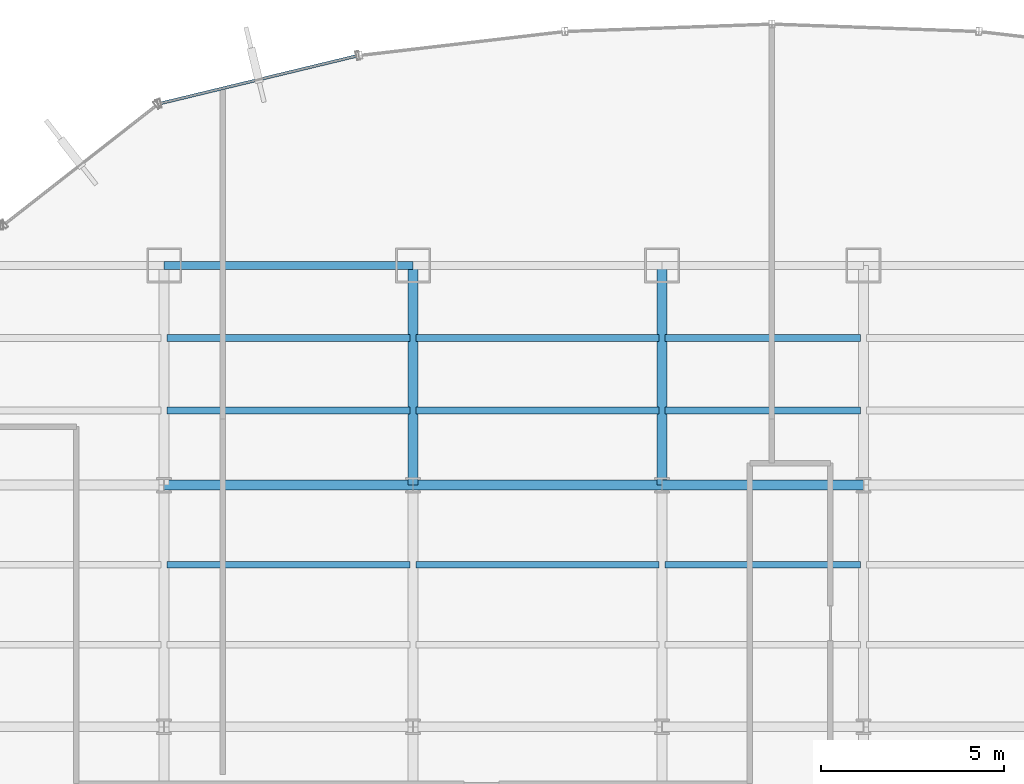
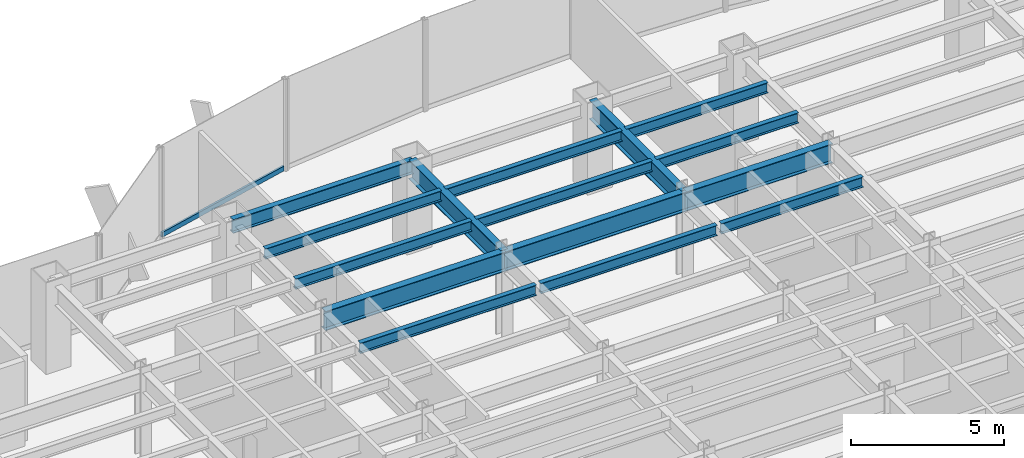
# One storey, part 11 of 22: 15 beams, 1 member, 1 element without a shape of its own.
"""IFC4 building model written with IfcOpenShell, lengths in metres."""

from ifc_helpers import new_model, si_unit, derived_unit, direction, frame, origin, origin_2d, place, context, subcontext, project, spatial, hollow_rectangle, i_section, extrude, source, transform, mapped, material, material_profile, profile_set, type_object, element, aggregate, save


model = new_model("IFC4")

# Units and contexts
model_context = context("Model", 3, precision=1e-05, world=origin(), true_north=direction((0.0, 1.0)))
body_context = subcontext(model_context, "Body", "Model", "MODEL_VIEW")
ifc_project = project(units=[si_unit("LENGTHUNIT", "METRE"), si_unit("AREAUNIT", "SQUARE_METRE"), si_unit("VOLUMEUNIT", "CUBIC_METRE"), si_unit("PLANEANGLEUNIT", "RADIAN"), si_unit("MASSUNIT", "GRAM", prefix="KILO"), derived_unit("THERMALTRANSMITTANCEUNIT", [(si_unit("POWERUNIT", "WATT"), 1), (si_unit("LENGTHUNIT", "METRE"), -2), (si_unit("THERMODYNAMICTEMPERATUREUNIT", "KELVIN"), -1)])], contexts=[model_context])

# Site, building, storey
site_placement = place(None, origin())
site = spatial("IfcSite", under=ifc_project, at=site_placement, CompositionType="ELEMENT")
building_placement = place(site_placement, origin())
building = spatial("IfcBuilding", under=site, at=building_placement, Name="Skarnbrae Concourse Arena and Tower", CompositionType="ELEMENT")
storey_placement = place(building_placement, frame((0.0, 0.0, 61.699951171875)))
storey = spatial("IfcBuildingStorey", under=building, at=storey_placement, Name="L14", CompositionType="ELEMENT", Elevation=61.699951171875)

# Beams
ifc_material_1 = material(Name="Steel CSA G40.21 350W", Category="steel")
ifc_material_profile_1 = material_profile(ifc_material_1, i_section(OverallWidth=0.26806640625, OverallDepth=0.77001953125, WebThickness=0.015625, FlangeThickness=0.025390625, at=origin_2d()), Name="W760X196")
ifc_profile_set_1 = profile_set([ifc_material_profile_1], Name="Steel CSA G40.21 350W")
beam_type_1 = type_object("IfcBeamType", Name="BM-GIRD-W760X196", PredefinedType="BEAM", material=ifc_profile_set_1)
shared_shape_1 = source(origin(), body_context, "Body", "SweptSolid", [
    extrude(i_section(OverallWidth=0.26806640625, OverallDepth=0.77001953125, WebThickness=0.015625, FlangeThickness=0.025390625, at=origin_2d()), origin(), (0.0, 0.0, 1.0), 6.800048828125),
])
for number, where, z_axis, x_axis, name in (
    (1, (14.39990234375, 34.39990234375, 3.01513671875), (1.0, 0.0, 0.0), (0.0, 1.0, 0.0), "L14 Primary E-W girder Y34.4-3"),
    (2, (21.199951171875, 34.39990234375, 3.01513671875), (1.0, 0.0, 0.0), (0.0, 1.0, 0.0), "L14 Primary E-W girder Y34.4-4"),
):
    element("IfcBeam", number, at=place(storey_placement, frame(where, z_axis=z_axis, x_axis=x_axis)), inside=storey, type_object=beam_type_1, Name=name, PredefinedType="BEAM", context=body_context, shape_type="MappedRepresentation", body=[
        mapped(shared_shape_1, transform((0.0, 0.0, 0.0))),
    ])
shared_shape_2 = source(origin(), body_context, "Body", "SweptSolid", [
    extrude(i_section(OverallWidth=0.26806640625, OverallDepth=0.77001953125, WebThickness=0.015625, FlangeThickness=0.025390625, at=origin_2d()), origin(), (0.0, 0.0, 1.0), 5.5),
])
beam_1_placement = place(storey_placement, frame((28.0, 34.39990234375, 3.01513671875), z_axis=(1.0, 0.0, 0.0), x_axis=(0.0, 1.0, 0.0)))
element("IfcBeam", 3, at=beam_1_placement, inside=storey, type_object=beam_type_1, Name="L14 Primary E-W girder Y34.4-5", PredefinedType="BEAM", context=body_context, shape_type="MappedRepresentation", body=[
    mapped(shared_shape_2, transform((0.0, 0.0, 0.0))),
])
shared_shape_3 = source(origin(), body_context, "Body", "SweptSolid", [
    extrude(i_section(OverallWidth=0.26806640625, OverallDepth=0.77001953125, WebThickness=0.015625, FlangeThickness=0.025390625, at=origin_2d()), origin(), (0.0, 0.0, 1.0), 6.0),
])
for number, where, z_axis, x_axis, name in (
    (4, (21.199951171875, 34.39990234375, 3.01513671875), (0.0, 1.0, 0.0), (-1.0, 0.0, 0.0), "L14 Primary N-S girder X21.2-4"),
    (5, (28.0, 34.39990234375, 3.01513671875), (0.0, 1.0, 0.0), (-1.0, 0.0, 0.0), "L14 Primary N-S girder X28.0-4"),
):
    element("IfcBeam", number, at=place(storey_placement, frame(where, z_axis=z_axis, x_axis=x_axis)), inside=storey, type_object=beam_type_1, Name=name, PredefinedType="BEAM", context=body_context, shape_type="MappedRepresentation", body=[
        mapped(shared_shape_3, transform((0.0, 0.0, 0.0))),
    ])
ifc_material_profile_2 = material_profile(ifc_material_1, i_section(OverallWidth=0.214111328125, OverallDepth=0.549072265625, WebThickness=0.0146484375, FlangeThickness=0.023681640625, at=origin_2d()), Name="W530X138")
ifc_profile_set_2 = profile_set([ifc_material_profile_2], Name="Steel CSA G40.21 350W")
beam_type_2 = type_object("IfcBeamType", Name="BM-SPAN-W530X138", PredefinedType="SPANDREL", material=ifc_profile_set_2)
shared_shape_4 = source(origin(), body_context, "Body", "SweptSolid", [
    extrude(i_section(OverallWidth=0.214111328125, OverallDepth=0.549072265625, WebThickness=0.0146484375, FlangeThickness=0.023681640625, at=origin_2d()), origin(), (0.0, 0.0, 1.0), 6.800048828125),
])
beam_2_placement = place(storey_placement, frame((14.39990234375, 40.39990234375, 3.12548828125), z_axis=(1.0, 0.0, 0.0), x_axis=(0.0, 1.0, 0.0)))
element("IfcBeam", 6, at=beam_2_placement, inside=storey, type_object=beam_type_2, Name="L14 Perimeter spandrel Y40.4-2", PredefinedType="SPANDREL", context=body_context, shape_type="MappedRepresentation", body=[
    mapped(shared_shape_4, transform((0.0, 0.0, 0.0))),
])
ifc_material_profile_3 = material_profile(ifc_material_1, i_section(OverallWidth=0.180908203125, OverallDepth=0.4169921875, WebThickness=0.010986328125, FlangeThickness=0.018310546875, at=origin_2d()), Name="W410X85")
ifc_profile_set_3 = profile_set([ifc_material_profile_3], Name="Steel CSA G40.21 350W")
beam_type_3 = type_object("IfcBeamType", Name="BM-JOIST-W410X85", PredefinedType="JOIST", material=ifc_profile_set_3)
shared_shape_5 = source(origin(), body_context, "Body", "SweptSolid", [
    extrude(i_section(OverallWidth=0.180908203125, OverallDepth=0.4169921875, WebThickness=0.010986328125, FlangeThickness=0.018310546875, at=origin_2d()), origin(), (0.0, 0.0, 1.0), 6.64013671875),
])
for number, where, z_axis, x_axis, name in (
    (7, (14.47998046875, 32.221923828125, 3.191650390625), (1.0, 0.0, 0.0), (0.0, 1.0, 0.0), "L14 Secondary floor joist 3.2.3"),
    (8, (14.47998046875, 36.43994140625, 3.191650390625), (1.0, 0.0, 0.0), (0.0, 1.0, 0.0), "L14 Secondary floor joist 4.1.2"),
    (9, (14.47998046875, 38.419921875, 3.191650390625), (1.0, 0.0, 0.0), (0.0, 1.0, 0.0), "L14 Secondary floor joist 4.2.2"),
):
    element("IfcBeam", number, at=place(storey_placement, frame(where, z_axis=z_axis, x_axis=x_axis)), inside=storey, type_object=beam_type_3, Name=name, PredefinedType="JOIST", context=body_context, shape_type="MappedRepresentation", body=[
        mapped(shared_shape_5, transform((0.0, 0.0, 0.0))),
    ])
shared_shape_6 = source(origin(), body_context, "Body", "SweptSolid", [
    extrude(i_section(OverallWidth=0.180908203125, OverallDepth=0.4169921875, WebThickness=0.010986328125, FlangeThickness=0.018310546875, at=origin_2d()), origin(), (0.0, 0.0, 1.0), 6.639892578125),
])
for number, where, z_axis, x_axis, name in (
    (10, (21.280029296875, 32.221923828125, 3.191650390625), (1.0, 0.0, 0.0), (0.0, 1.0, 0.0), "L14 Secondary floor joist 3.2.4"),
    (11, (21.280029296875, 36.43994140625, 3.191650390625), (1.0, 0.0, 0.0), (0.0, 1.0, 0.0), "L14 Secondary floor joist 4.1.3"),
    (12, (21.280029296875, 38.419921875, 3.191650390625), (1.0, 0.0, 0.0), (0.0, 1.0, 0.0), "L14 Secondary floor joist 4.2.3"),
):
    element("IfcBeam", number, at=place(storey_placement, frame(where, z_axis=z_axis, x_axis=x_axis)), inside=storey, type_object=beam_type_3, Name=name, PredefinedType="JOIST", context=body_context, shape_type="MappedRepresentation", body=[
        mapped(shared_shape_6, transform((0.0, 0.0, 0.0))),
    ])
shared_shape_7 = source(origin(), body_context, "Body", "SweptSolid", [
    extrude(i_section(OverallWidth=0.180908203125, OverallDepth=0.4169921875, WebThickness=0.010986328125, FlangeThickness=0.018310546875, at=origin_2d()), origin(), (0.0, 0.0, 1.0), 5.33984375),
])
for number, where, z_axis, x_axis, name in (
    (13, (28.080078125, 32.221923828125, 3.191650390625), (1.0, 0.0, 0.0), (0.0, 1.0, 0.0), "L14 Secondary floor joist 3.2.5"),
    (14, (28.080078125, 36.43994140625, 3.191650390625), (1.0, 0.0, 0.0), (0.0, 1.0, 0.0), "L14 Secondary floor joist 4.1.4"),
    (15, (28.080078125, 38.419921875, 3.191650390625), (1.0, 0.0, 0.0), (0.0, 1.0, 0.0), "L14 Secondary floor joist 4.2.4"),
):
    element("IfcBeam", number, at=place(storey_placement, frame(where, z_axis=z_axis, x_axis=x_axis)), inside=storey, type_object=beam_type_3, Name=name, PredefinedType="JOIST", context=body_context, shape_type="MappedRepresentation", body=[
        mapped(shared_shape_7, transform((0.0, 0.0, 0.0))),
    ])

# Curtain wall, member
ifc_material_2 = material(Name="Bronze anodised aluminium 6063-T6", Category="aluminium")
curtain_wall_type = type_object("IfcCurtainWallType", Name="CW-SYS-02-LOWZONE", PredefinedType="USERDEFINED", material=ifc_material_2)
curtain_wall_placement = place(storey_placement, origin())
curtain_wall = element("IfcCurtainWall", 16, at=curtain_wall_placement, inside=storey, type_object=curtain_wall_type, Name="L14 Unitised curtain wall CW-L14-E14", ObjectType="UNITISED CURTAIN WALL", PredefinedType="USERDEFINED")
ifc_material_profile_4 = material_profile(ifc_material_2, hollow_rectangle(XDim=0.080078125, YDim=0.18994140625, WallThickness=0.0048828125, at=origin_2d()), Name="ALU-TRAN-80X190")
ifc_profile_set_4 = profile_set([ifc_material_profile_4], Name="Bronze anodised aluminium 6063-T6")
member_type = type_object("IfcMemberType", Name="CWT-CW-02", PredefinedType="USERDEFINED", material=ifc_profile_set_4)
shared_shape_8 = source(origin(), body_context, "Body", "SweptSolid", [
    extrude(hollow_rectangle(XDim=0.080078125, YDim=0.18994140625, WallThickness=0.0048828125, at=origin_2d()), origin(), (0.0, 0.0, 1.0), 5.4921875),
])
member_placement = place(storey_placement, frame((19.64990234375, 46.12158203125, 0.094970703125), z_axis=(-0.971980728004, -0.235060554728, 0.0), x_axis=(0.235060554728, -0.971980728004, 0.0)))
member = element("IfcMember", 17, at=member_placement, type_object=member_type, Name="CW-L14-E14 Transom 1", ObjectType="TRANSOM", PredefinedType="USERDEFINED", context=body_context, shape_type="MappedRepresentation", body=[
    mapped(shared_shape_8, transform((0.0, 0.0, 0.0))),
])
aggregate(curtain_wall, [member])

save(model, "model.ifc")
